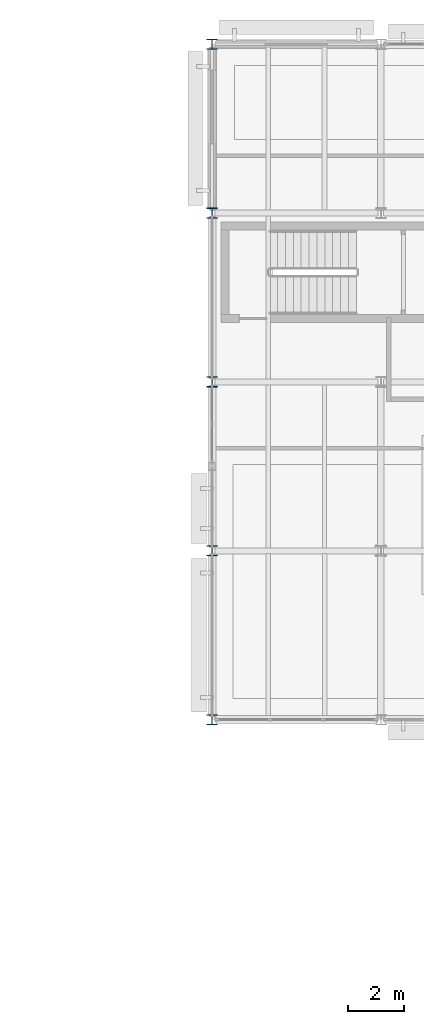
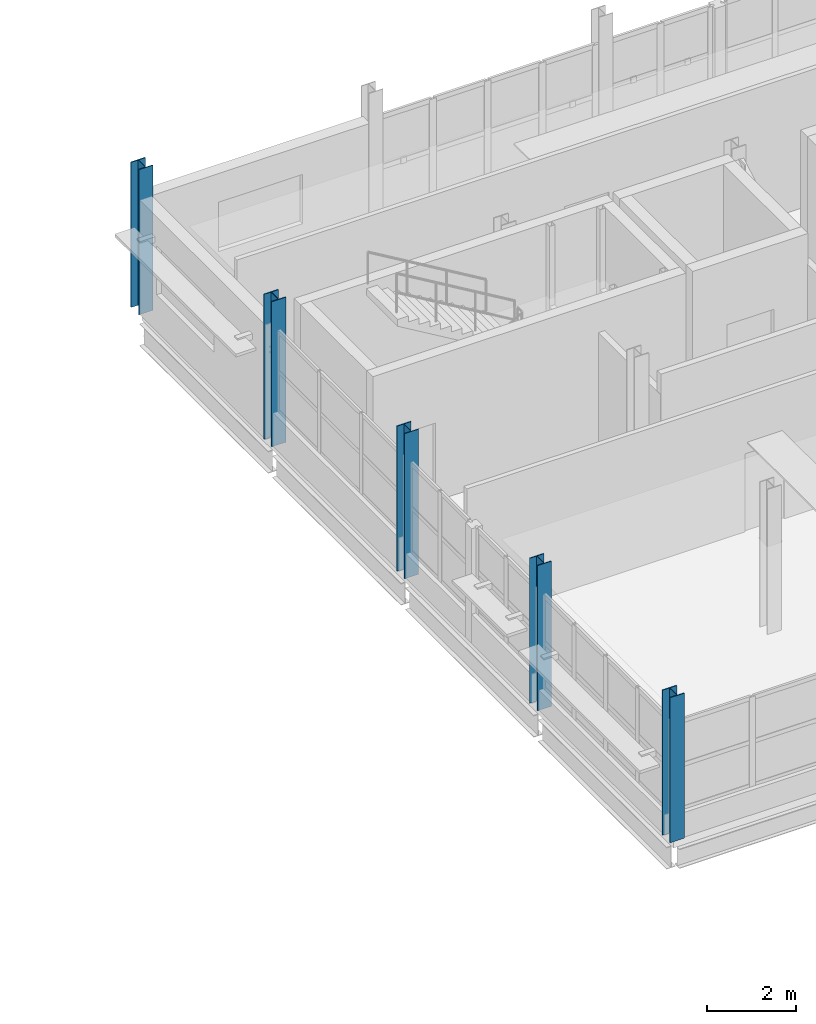
# One storey, part 11 of 92: 5 columns.
"""IFC4 building model written with IfcOpenShell, lengths in metres."""

from ifc_helpers import new_model, si_unit, direction, frame, origin, origin_2d, place, context, subcontext, project, spatial, i_section, extrude, material, material_profile, profile_set, type_object, element, save


model = new_model("IFC4")

# Units and contexts
model_context = context("Model", 3, precision=1e-05, world=origin(), true_north=direction((0.0, 1.0)))
body_context = subcontext(model_context, "Body", "Model", "MODEL_VIEW")
ifc_project = project(units=[si_unit("LENGTHUNIT", "METRE"), si_unit("AREAUNIT", "SQUARE_METRE"), si_unit("VOLUMEUNIT", "CUBIC_METRE"), si_unit("PLANEANGLEUNIT", "RADIAN"), si_unit("MASSUNIT", "GRAM", prefix="KILO")], contexts=[model_context])

# Site, building, storey
site_placement = place(None, origin())
site = spatial("IfcSite", under=ifc_project, at=site_placement, CompositionType="ELEMENT")
building_placement = place(site_placement, origin())
building = spatial("IfcBuilding", under=site, at=building_placement, Name="Siltcreek Boulevard Central Fire Station", CompositionType="ELEMENT")
storey_placement = place(building_placement, frame((0.0, 0.0, 6.0)))
storey = spatial("IfcBuildingStorey", under=building, at=storey_placement, Name="L02", CompositionType="ELEMENT", Elevation=6.0)

# Columns
ifc_material = material(Name="Structural steel ASTM A992 Gr50", Category="steel")
ifc_material_profile = material_profile(ifc_material, i_section(OverallWidth=0.37109375, OverallDepth=0.364013671875, WebThickness=0.01318359375, FlangeThickness=0.021728515625, at=origin_2d()), Name="W360X162")
ifc_profile_set = profile_set([ifc_material_profile], Name="Structural steel ASTM A992 Gr50")
column_type = type_object("IfcColumnType", Name="COL_W360X162", PredefinedType="COLUMN", material=ifc_profile_set)
for number, where, z_axis, x_axis, name in (
    (1, (124.199951171875, 88.199951171875, 0.0), (0.0, 0.0, 1.0), (1.0, 0.0, 0.0), "L02 structural column COLG-L02-1242-882"),
    (2, (124.199951171875, 94.199951171875, 0.0), (0.0, 0.0, 1.0), (1.0, 0.0, 0.0), "L02 structural column COLG-L02-1242-942"),
    (3, (124.199951171875, 100.199951171875, 0.0), (0.0, 0.0, 1.0), (1.0, 0.0, 0.0), "L02 structural column COLG-L02-1242-1002"),
    (4, (124.199951171875, 106.199951171875, 0.0), (0.0, 0.0, 1.0), (1.0, 0.0, 0.0), "L02 structural column COLG-L02-1242-1062"),
    (5, (124.199951171875, 112.199951171875, 0.0), (0.0, 0.0, 1.0), (1.0, 0.0, 0.0), "L02 structural column COLG-L02-1242-1122"),
):
    element("IfcColumn", number, at=place(storey_placement, frame(where, z_axis=z_axis, x_axis=x_axis)), inside=storey, type_object=column_type, Name=name, PredefinedType="COLUMN", context=body_context, shape_type="SweptSolid", body=[
        extrude(i_section(OverallWidth=0.37109375, OverallDepth=0.364013671875, WebThickness=0.01318359375, FlangeThickness=0.021728515625, at=origin_2d()), origin(), (0.0, 0.0, 1.0), 4.0),
    ])

save(model, "model.ifc")
